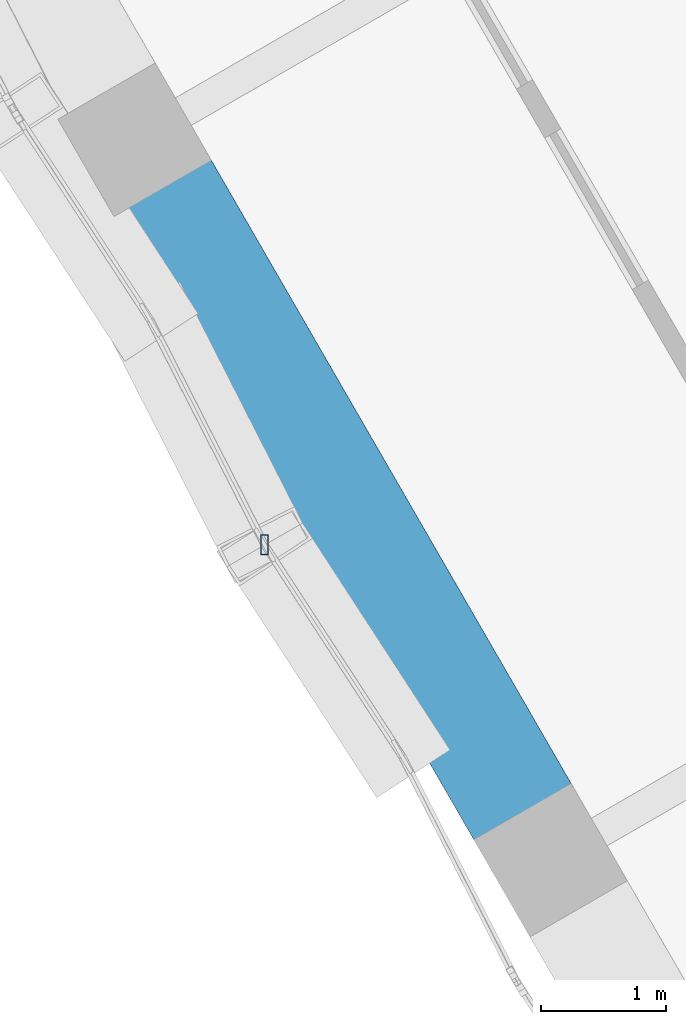
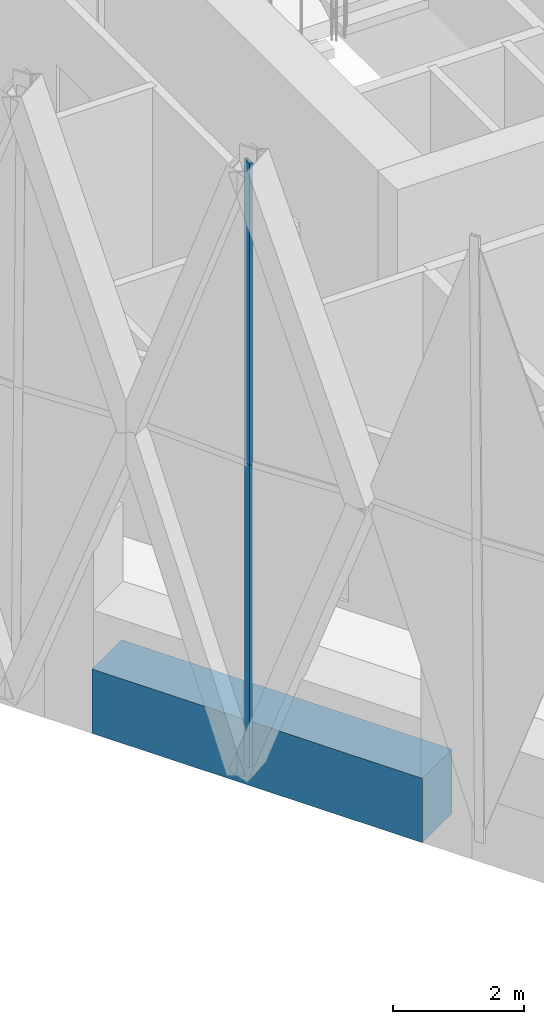
# One storey, part 10 of 37: 2 members, 1 beam, 1 element without a shape of its own.
"""IFC4 building model written with IfcOpenShell, lengths in metres."""

from ifc_helpers import new_model, si_unit, direction, frame, origin, origin_2d, place, context, subcontext, project, spatial, rectangle, hollow_rectangle, extrude, material, material_profile, profile_set, type_object, element, aggregate, save


model = new_model("IFC4")

# Units and contexts
model_context = context("Model", 3, precision=1e-05, world=origin(), true_north=direction((0.0, 1.0)))
body_context = subcontext(model_context, "Body", "Model", "MODEL_VIEW")
ifc_project = project(units=[si_unit("LENGTHUNIT", "METRE"), si_unit("AREAUNIT", "SQUARE_METRE"), si_unit("VOLUMEUNIT", "CUBIC_METRE"), si_unit("PLANEANGLEUNIT", "RADIAN"), si_unit("MASSUNIT", "GRAM", prefix="KILO")], contexts=[model_context])

# Site, building, storey
site_placement = place(None, origin())
site = spatial("IfcSite", under=ifc_project, at=site_placement, CompositionType="ELEMENT")
building_placement = place(site_placement, origin())
building = spatial("IfcBuilding", under=site, at=building_placement, Name="Ostrander Bayou Hotel Tower", CompositionType="ELEMENT")
storey_placement = place(building_placement, frame((0.0, 0.0, 225.75)))
storey = spatial("IfcBuildingStorey", under=building, at=storey_placement, Name="L56", CompositionType="ELEMENT", Elevation=225.75)

# Curtain wall, members
ifc_material_1 = material(Name="Aluminium and clear glass", Category="aluminium")
curtain_wall_type = type_object("IfcCurtainWallType", Name="CW-LAT lattice glazing", PredefinedType="NOTDEFINED", material=ifc_material_1)
curtain_wall_placement = place(storey_placement, origin())
curtain_wall = element("IfcCurtainWall", 1, at=curtain_wall_placement, inside=storey, type_object=curtain_wall_type, Name="CW-LAT L56 SW 1", PredefinedType="NOTDEFINED")
ifc_material_2 = material(Name="Aluminium", Category="aluminium")
ifc_material_profile_1 = material_profile(ifc_material_2, hollow_rectangle(XDim=0.06005859375, YDim=0.159912109375, WallThickness=0.00390625, at=origin_2d()))
ifc_profile_set_1 = profile_set([ifc_material_profile_1], Name="Aluminium")
member_type = type_object("IfcMemberType", Name="CW-LA mullion 60 x 160 mm", PredefinedType="MULLION", material=ifc_profile_set_1)
member_1_placement = place(storey_placement, frame((-15.216064453125, -8.784912109375, -0.60009765625), z_axis=(0.0, 0.0, 1.0), x_axis=(1.0, 0.0, 0.0)))
member_1 = element("IfcMember", 2, at=member_1_placement, type_object=member_type, Name="CW-LAT mullion 8", PredefinedType="MULLION", context=body_context, shape_type="SweptSolid", body=[
    extrude(hollow_rectangle(XDim=0.06005859375, YDim=0.159912109375, WallThickness=0.00390625, at=origin_2d()), origin(), (0.0, 0.0, 1.0), 5.625),
])
member_2_placement = place(storey_placement, frame((-15.216064453125, -8.784912109375, 5.02490234375), z_axis=(0.0, 0.0, 1.0), x_axis=(1.0, 0.0, 0.0)))
member_2 = element("IfcMember", 3, at=member_2_placement, type_object=member_type, Name="CW-LAT mullion 9", PredefinedType="MULLION", context=body_context, shape_type="SweptSolid", body=[
    extrude(hollow_rectangle(XDim=0.06005859375, YDim=0.159912109375, WallThickness=0.00390625, at=origin_2d()), origin(), (0.0, 0.0, 1.0), 5.625),
])
aggregate(curtain_wall, [member_1, member_2])

# Beam
ifc_material_3 = material(Name="Concrete f'c 60 MPa", Category="concrete")
ifc_material_profile_2 = material_profile(ifc_material_3, rectangle(XDim=0.89990234375, YDim=1.199951171875, at=origin_2d()))
ifc_profile_set_2 = profile_set([ifc_material_profile_2], Name="Concrete f'c 60 MPa")
beam_type = type_object("IfcBeamType", Name="SP4 spandrel beam 900 x 1200 mm f'c 60 MPa", PredefinedType="SPANDREL", material=ifc_profile_set_2)
beam_placement = place(storey_placement, frame((-16.047119140625, -5.905517578125, -0.60009765625), z_axis=(0.500015433515, -0.866016493057, 0.0), x_axis=(0.866016493057, 0.500015433515, 0.0)))
element("IfcBeam", 4, at=beam_placement, inside=storey, type_object=beam_type, Name="SP4 L56 SW-2", PredefinedType="SPANDREL", context=body_context, shape_type="SweptSolid", body=[
    extrude(rectangle(XDim=0.89990234375, YDim=1.199951171875, at=origin_2d()), origin(), (0.0, 0.0, 1.0), 5.818603515625),
])

save(model, "model.ifc")
